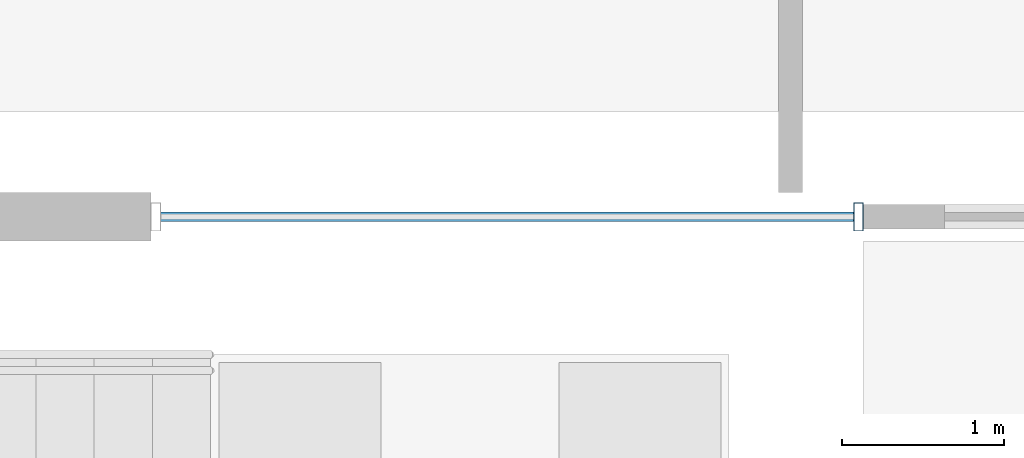
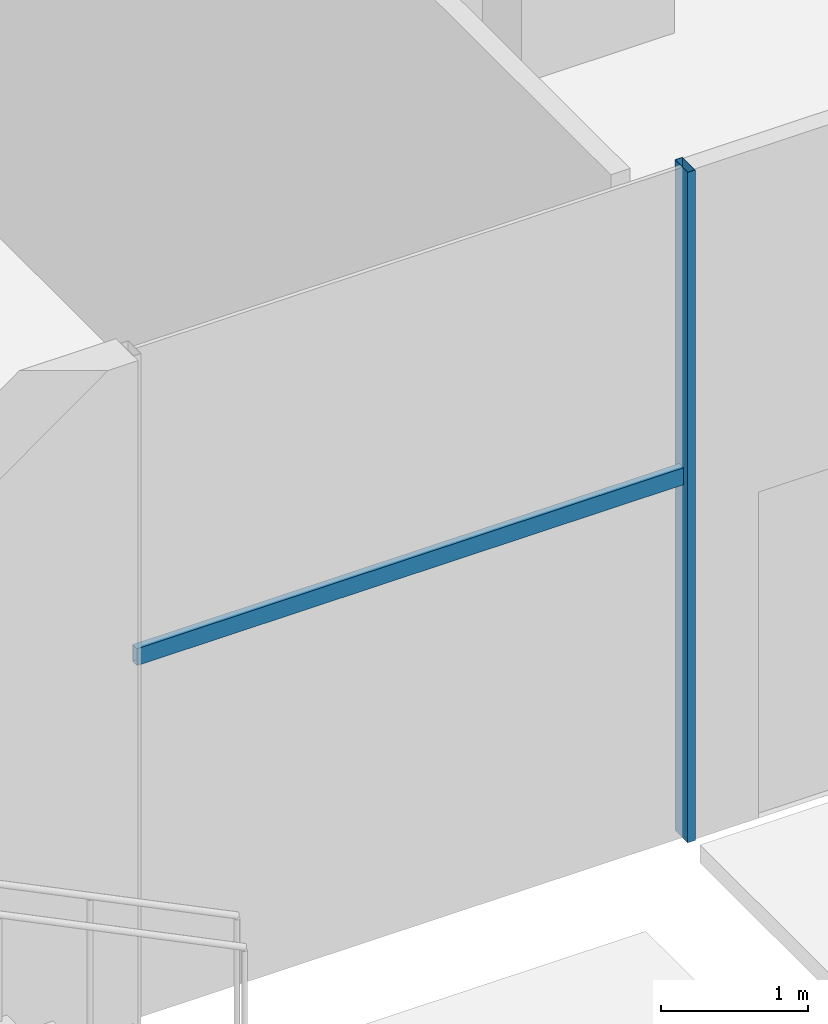
# One storey, part 9 of 68: 2 members, 1 element without a shape of its own.
"""IFC4 building model written with IfcOpenShell, lengths in metres."""

from ifc_helpers import new_model, si_unit, direction, frame, origin, origin_2d, place, context, subcontext, project, spatial, hollow_rectangle, extrude, material, material_profile, profile_set, type_object, element, aggregate, save


model = new_model("IFC4")

# Units and contexts
model_context = context("Model", 3, precision=1e-05, world=origin(), true_north=direction((0.0, 1.0)))
body_context = subcontext(model_context, "Body", "Model", "MODEL_VIEW")
ifc_project = project(units=[si_unit("LENGTHUNIT", "METRE"), si_unit("AREAUNIT", "SQUARE_METRE"), si_unit("VOLUMEUNIT", "CUBIC_METRE"), si_unit("PLANEANGLEUNIT", "RADIAN"), si_unit("MASSUNIT", "GRAM", prefix="KILO")], contexts=[model_context])

# Site, building, storey
site_placement = place(None, origin())
site = spatial("IfcSite", under=ifc_project, at=site_placement, CompositionType="ELEMENT")
building_placement = place(site_placement, origin())
building = spatial("IfcBuilding", under=site, at=building_placement, Name="Altepetl Exchange Towers", CompositionType="ELEMENT")
storey_placement = place(building_placement, origin())
storey = spatial("IfcBuildingStorey", under=building, at=storey_placement, Name="L00 Ground concourse", CompositionType="ELEMENT", Elevation=0.0)

# Curtain wall, members
ifc_material_1 = material(Name="Aluminium 6063-T6 glazing", Category="aluminium")
curtain_wall_type = type_object("IfcCurtainWallType", Name="Podium storefront system", PredefinedType="NOTDEFINED", material=ifc_material_1)
curtain_wall_placement = place(storey_placement, origin())
curtain_wall = element("IfcCurtainWall", 1, at=curtain_wall_placement, inside=storey, type_object=curtain_wall_type, Name="CW5 run", PredefinedType="NOTDEFINED")
ifc_material_2 = material(Name="Aluminium 6063-T6", Category="aluminium")
ifc_material_profile_1 = material_profile(ifc_material_2, hollow_rectangle(XDim=0.06005859375, YDim=0.175048828125, WallThickness=0.0029296875, at=origin_2d()), Name="Mullion 60x175 aluminium")
ifc_profile_set_1 = profile_set([ifc_material_profile_1], Name="Aluminium 6063-T6")
member_type_1 = type_object("IfcMemberType", Name="Mullion 60x175 aluminium", PredefinedType="MULLION", material=ifc_profile_set_1)
member_1_placement = place(storey_placement, frame((58.919921875, 0.14990234375, 0.0)))
member_1 = element("IfcMember", 2, at=member_1_placement, type_object=member_type_1, Name="MU4 mullion", PredefinedType="MULLION", context=body_context, shape_type="SweptSolid", body=[
    extrude(hollow_rectangle(XDim=0.06005859375, YDim=0.175048828125, WallThickness=0.0029296875, at=origin_2d()), origin(), (0.0, 0.0, 1.0), 5.550048828125),
])
ifc_material_profile_2 = material_profile(ifc_material_2, hollow_rectangle(XDim=0.06005859375, YDim=0.139892578125, WallThickness=0.0029296875, at=origin_2d()), Name="Transom 60x140 aluminium")
ifc_profile_set_2 = profile_set([ifc_material_profile_2], Name="Aluminium 6063-T6")
member_type_2 = type_object("IfcMemberType", Name="Transom 60x140 aluminium", PredefinedType="USERDEFINED", material=ifc_profile_set_2)
member_2_placement = place(storey_placement, frame((54.610107421875, 0.14990234375, 3.0), z_axis=(1.0, 0.0, 0.0), x_axis=(0.0, 1.0, 0.0)))
member_2 = element("IfcMember", 3, at=member_2_placement, type_object=member_type_2, Name="TR3 transom", ObjectType="TRANSOM", PredefinedType="USERDEFINED", context=body_context, shape_type="SweptSolid", body=[
    extrude(hollow_rectangle(XDim=0.06005859375, YDim=0.139892578125, WallThickness=0.0029296875, at=origin_2d()), origin(), (0.0, 0.0, 1.0), 4.27978515625),
])
aggregate(curtain_wall, [member_1, member_2])

save(model, "model.ifc")
